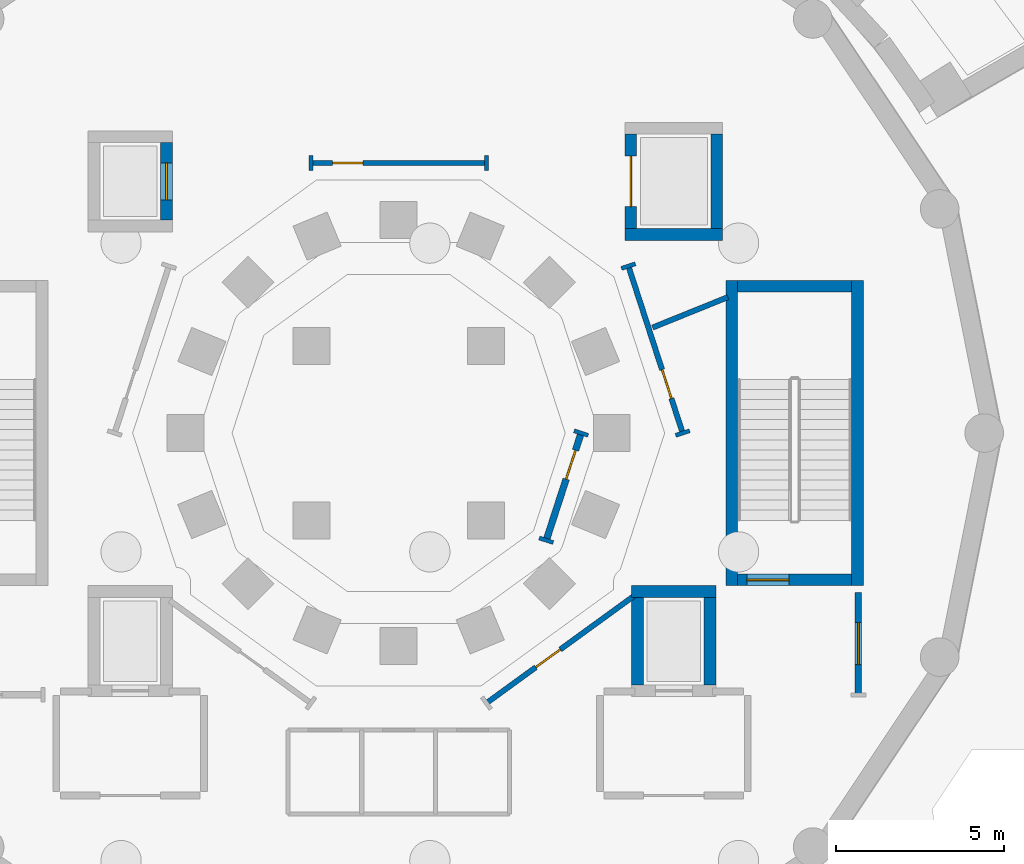
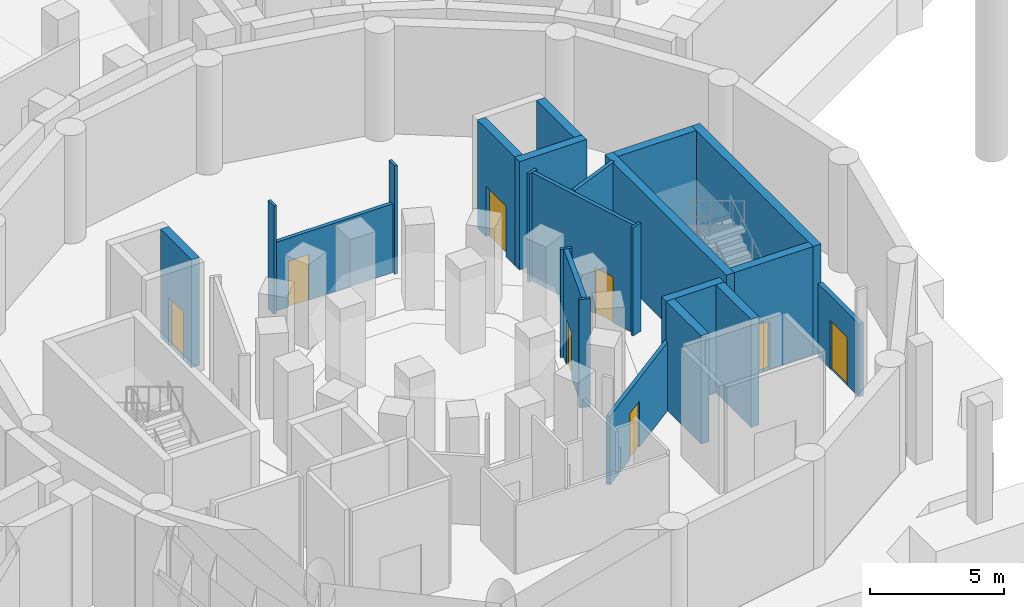
# One storey, part 10 of 33: 23 walls, 8 doors, 8 openings.
"""IFC4 building model written with IfcOpenShell, lengths in metres."""

import ifcopenshell
import ifcopenshell.guid

model = None  # the IFC model being written
_history = None  # IfcOwnerHistory: only IFC2X3 demands one
_inside = {}  # id of a spatial element -> (the spatial element, [elements in it])
_under = {}  # id of a project, library or spatial element -> (it, [spatial elements below it])
_declared = {}  # id of a project -> (the project, [libraries it declares])
_typed = {}  # id of a type object -> (the type object, [elements of that type])
_made_of = {}  # id of a material, layer set ... -> (it, [elements and type objects made of it])


def new_model(schema):
    """Start an empty IFC model of exactly this schema.

    Asked for "IFC4X3", IfcOpenShell would pick the latest addendum, in which some entities
    have other attributes; the version numbers below select the first issue.
    IFC2X3 requires an IfcOwnerHistory on every rooted entity: one is made here for all.
    """
    global model, _history
    if schema == "IFC4X3":
        model = ifcopenshell.file(schema_version=(4, 3, 0, 0))
    else:
        model = ifcopenshell.file(schema=schema)
    _inside.clear()
    _under.clear()
    _declared.clear()
    _typed.clear()
    _made_of.clear()
    _history = None
    if model.schema == "IFC2X3":
        org = make("IfcOrganization", Name="unknown")
        user = make(
            "IfcPersonAndOrganization",
            ThePerson=make("IfcPerson", FamilyName="unknown"),
            TheOrganization=org,
        )
        app = make(
            "IfcApplication",
            ApplicationDeveloper=org,
            Version="unknown",
            ApplicationFullName="unknown",
            ApplicationIdentifier="unknown",
        )
        _history = make(
            "IfcOwnerHistory",
            OwningUser=user,
            OwningApplication=app,
            ChangeAction="ADDED",
            CreationDate=0,
        )
    return model


def make(cls, **values):
    """One entity of the class cls with the attributes given. An attribute that is None is left unset."""
    return model.create_entity(
        cls, **{name: value for name, value in values.items() if value is not None}
    )


def rooted(cls, **values):
    """An entity with a GlobalId (a new one), such as an element, a storey or a relation."""
    return make(cls, GlobalId=ifcopenshell.guid.new(), OwnerHistory=_history, **values)


def si_unit(unit_type, name, prefix=None):
    """IfcSIUnit, for example si_unit("LENGTHUNIT", "METRE", prefix="MILLI")."""
    return make("IfcSIUnit", UnitType=unit_type, Prefix=prefix, Name=name)


def assignment(units):
    """IfcUnitAssignment: the units of a project."""
    return None if units is None else make("IfcUnitAssignment", Units=units)


def point(xyz):
    """IfcCartesianPoint."""
    return None if xyz is None else make("IfcCartesianPoint", Coordinates=xyz)


def direction(xyz):
    """IfcDirection."""
    return None if xyz is None else make("IfcDirection", DirectionRatios=xyz)


def frame(location, z_axis=None, x_axis=None):
    """IfcAxis2Placement3D, a coordinate frame: its origin and axes. An axis left out is left unset."""
    return make(
        "IfcAxis2Placement3D",
        Location=point(location),
        Axis=direction(z_axis),
        RefDirection=direction(x_axis),
    )


def frame_2d(location, x_axis=None):
    """IfcAxis2Placement2D, a coordinate frame in the plane: its origin and x axis."""
    return make(
        "IfcAxis2Placement2D", Location=point(location), RefDirection=direction(x_axis)
    )


def origin():
    """The frame at (0, 0, 0) with its axes left unset."""
    return frame((0.0, 0.0, 0.0))


def place(relative_to, where):
    """IfcLocalPlacement: puts the frame where relative to a parent placement (None: the world)."""
    return make(
        "IfcLocalPlacement", PlacementRelTo=relative_to, RelativePlacement=where
    )


def context(
    kind, dimensions, precision=None, world=None, true_north=None, identifier=None
):
    """IfcGeometricRepresentationContext, for example the 3D "Model" context."""
    return make(
        "IfcGeometricRepresentationContext",
        ContextIdentifier=identifier,
        ContextType=kind,
        CoordinateSpaceDimension=dimensions,
        Precision=precision,
        WorldCoordinateSystem=world,
        TrueNorth=true_north,
    )


def subcontext(parent, identifier, kind, view, scale=None):
    """IfcGeometricRepresentationSubContext, for example "Body" below "Model"."""
    return make(
        "IfcGeometricRepresentationSubContext",
        ContextIdentifier=identifier,
        ContextType=kind,
        ParentContext=parent,
        TargetScale=scale,
        TargetView=view,
    )


def project(units=None, contexts=None):
    """IfcProject with its units and contexts."""
    return rooted(
        "IfcProject",
        Name="project",
        RepresentationContexts=contexts,
        UnitsInContext=assignment(units),
    )


def spatial(cls, under=None, at=None, **own):
    """A site, building, storey or space (cls), placed at a placement, below another one or the project."""
    s = rooted(cls, ObjectPlacement=at, **own)
    if under is not None:
        _under.setdefault(under.id(), (under, []))[1].append(s)
    return s


def profile(cls, at=None, kind="AREA", **sizes):
    """A parametric profile (cls). Its sizes go by their IFC names, for example OverallWidth=200.0."""
    return make(cls, ProfileType=kind, Position=at, **sizes)


def rectangle(**sizes):
    """IfcRectangleProfileDef."""
    return profile("IfcRectangleProfileDef", **sizes)


def extrude(swept, where, along, depth):
    """IfcExtrudedAreaSolid: the profile swept, set in the frame where, extruded along a direction by depth."""
    return make(
        "IfcExtrudedAreaSolid",
        SweptArea=swept,
        Position=where,
        ExtrudedDirection=direction(along),
        Depth=depth,
    )


def shape(context_of_items, identifier, shape_type, items):
    """IfcShapeRepresentation: the items that make up one representation, for example the "Body"."""
    return make(
        "IfcShapeRepresentation",
        ContextOfItems=context_of_items,
        RepresentationIdentifier=identifier,
        RepresentationType=shape_type,
        Items=items,
    )


def material(Name=None, Category=None):
    """IfcMaterial."""
    return make("IfcMaterial", Name=Name, Category=Category)


def layer(
    of_material, thickness, ventilated=None, Name=None, Category=None, Priority=None
):
    """IfcMaterialLayer: one layer of a wall or slab, of a material (None: an air gap)."""
    return make(
        "IfcMaterialLayer",
        Material=of_material,
        LayerThickness=thickness,
        IsVentilated=ventilated,
        Name=Name,
        Category=Category,
        Priority=Priority,
    )


def layer_set(layers, Name=None):
    """IfcMaterialLayerSet."""
    return make("IfcMaterialLayerSet", MaterialLayers=layers, LayerSetName=Name)


def made_of(thing, what):
    """Note that an element or type object is made of a material, layer set ...; save() writes the relation."""
    if what is not None:
        _made_of.setdefault(what.id(), (what, []))[1].append(thing)
    return thing


def type_object(cls, material=None, **own):
    """A type object (cls), such as IfcWallType, which elements share."""
    return made_of(rooted(cls, **own), material)


def element(
    cls,
    number,
    at=None,
    inside=None,
    cuts=None,
    type_object=None,
    material=None,
    context=None,
    identifier="Body",
    shape_type=None,
    held_by="IfcProductDefinitionShape",
    body=None,
    shapes=None,
    **own,
):
    """One element of the class cls, such as IfcWall. Its Tag is "e" and its number.

    at: its placement. inside: the storey or other place that contains it. cuts: it is an
    opening in that element (IfcRelVoidsElement). A single representation is given by context,
    identifier, shape_type and body (its items); several are given by shapes. held_by: the class
    of the entity that holds the representations. save() writes the other relations.
    """
    e = rooted(cls, Tag="e%d" % number, ObjectPlacement=at, **own)
    if body is not None:
        shapes = [shape(context, identifier, shape_type, body)]
    if shapes is not None:
        e.Representation = make(held_by, Representations=shapes)
    if inside is not None:
        _inside.setdefault(inside.id(), (inside, []))[1].append(e)
    if cuts is not None:
        rooted(
            "IfcRelVoidsElement", RelatingBuildingElement=cuts, RelatedOpeningElement=e
        )
    if type_object is not None:
        _typed.setdefault(type_object.id(), (type_object, []))[1].append(e)
    return made_of(e, material)


def fill(opening, filler):
    """IfcRelFillsElement: the door or window that sits in an opening."""
    return rooted(
        "IfcRelFillsElement",
        RelatingOpeningElement=opening,
        RelatedBuildingElement=filler,
    )


def aggregate(whole, parts):
    """IfcRelAggregates: a whole, such as a stair, and the parts it consists of."""
    return rooted("IfcRelAggregates", RelatingObject=whole, RelatedObjects=parts)


def save(model, path):
    """Write the relations noted so far, then the file.

    IfcRelAggregates (storeys below a building ...), IfcRelContainedInSpatialStructure (elements
    in a storey), IfcRelDefinesByType, IfcRelAssociatesMaterial and IfcRelDeclares: one each for
    every whole, place, type object, material and project.
    """
    for whole, parts in _under.values():
        aggregate(whole, parts)
    for where, things in _inside.values():
        rooted(
            "IfcRelContainedInSpatialStructure",
            RelatedElements=things,
            RelatingStructure=where,
        )
    for kind, things in _typed.values():
        rooted("IfcRelDefinesByType", RelatedObjects=things, RelatingType=kind)
    for what, things in _made_of.values():
        rooted("IfcRelAssociatesMaterial", RelatedObjects=things, RelatingMaterial=what)
    for by, libraries in _declared.values():
        rooted("IfcRelDeclares", RelatingContext=by, RelatedDefinitions=libraries)
    model.write(path)


model = new_model("IFC4")

# Units and contexts
model_context = context("Model", 3, precision=1e-05, world=origin(), true_north=direction((0.0, 1.0)))
body_context = subcontext(model_context, "Body", "Model", "MODEL_VIEW")
ifc_project = project(units=[si_unit("LENGTHUNIT", "METRE"), si_unit("AREAUNIT", "SQUARE_METRE"), si_unit("VOLUMEUNIT", "CUBIC_METRE"), si_unit("PLANEANGLEUNIT", "RADIAN"), si_unit("MASSUNIT", "GRAM", prefix="KILO")], contexts=[model_context])

# Site, building, storey
site_placement = place(None, origin())
site = spatial("IfcSite", under=ifc_project, at=site_placement, CompositionType="ELEMENT")
building_placement = place(site_placement, origin())
building = spatial("IfcBuilding", under=site, at=building_placement, Name="Soyqirgoq Riverine Aquarium", CompositionType="ELEMENT")
storey_placement = place(building_placement, frame((0.0, 0.0, -5.39990234375)))
storey = spatial("IfcBuildingStorey", under=building, at=storey_placement, Name="B01", CompositionType="ELEMENT", Elevation=-5.39990234375)

# Walls
ifc_material_1 = material(Name="Concrete C40/50", Category="concrete")
ifc_layer_1 = layer(ifc_material_1, 0.35009765625)
ifc_layer_set_1 = layer_set([ifc_layer_1], Name="Concrete C40/50")
wall_type_1 = type_object("IfcWallType", Name="CoreShearWall_350_C40", PredefinedType="SHEAR", material=ifc_layer_set_1)
wall_1_placement = place(storey_placement, frame((69.675048828125, 52.449951171875, 0.0), z_axis=(0.0, 0.0, 1.0), x_axis=(0.0, 1.0, 0.0)))
element("IfcWall", 1, at=wall_1_placement, inside=storey, type_object=wall_type_1, Name="CORE-1 B01 Stair Core Shear Wall SIDE1", PredefinedType="SHEAR", context=body_context, shape_type="SweptSolid", body=[
    extrude(rectangle(XDim=9.10009765625, YDim=0.35009765625, at=frame_2d((4.550048828125, 0.0))), origin(), (0.0, 0.0, 1.0), 4.949951171875),
])
wall_2_placement = place(storey_placement, frame((69.5, 61.375, 0.0), z_axis=(0.0, 0.0, 1.0), x_axis=(-1.0, 0.0, 0.0)))
element("IfcWall", 2, at=wall_2_placement, inside=storey, type_object=wall_type_1, Name="CORE-1 B01 Stair Core Shear Wall BACK", PredefinedType="SHEAR", context=body_context, shape_type="SweptSolid", body=[
    extrude(rectangle(XDim=3.39990234375, YDim=0.35009765625, at=frame_2d((1.699951171875, 0.0))), origin(), (0.0, 0.0, 1.0), 4.949951171875),
])
wall_3_placement = place(storey_placement, frame((65.925048828125, 61.550048828125, 0.0), z_axis=(0.0, 0.0, 1.0), x_axis=(0.0, -1.0, 0.0)))
element("IfcWall", 3, at=wall_3_placement, inside=storey, type_object=wall_type_1, Name="CORE-1 B01 Stair Core Shear Wall SIDE2", PredefinedType="SHEAR", context=body_context, shape_type="SweptSolid", body=[
    extrude(rectangle(XDim=9.10009765625, YDim=0.35009765625, at=frame_2d((4.550048828125, 0.0))), origin(), (0.0, 0.0, 1.0), 4.949951171875),
])

# Wall, opening, door
wall_4_placement = place(storey_placement, frame((66.10009765625, 52.625, 0.0), z_axis=(0.0, 0.0, 1.0), x_axis=(1.0, 0.0, 0.0)))
wall_4 = element("IfcWall", 4, at=wall_4_placement, inside=storey, type_object=wall_type_1, Name="CORE-1 B01 Stair Core Shear Wall FRONT", PredefinedType="SHEAR", context=body_context, shape_type="SweptSolid", body=[
    extrude(rectangle(XDim=3.39990234375, YDim=0.35009765625, at=frame_2d((1.699951171875, 0.0))), origin(), (0.0, 0.0, 1.0), 4.949951171875),
])
opening_1_placement = place(wall_4_placement, frame((0.280029296875, 0.0, 0.0)))
opening_1 = element("IfcOpeningElement", 5, at=opening_1_placement, cuts=wall_4, Name="Opening FD-01", PredefinedType="OPENING", context=body_context, shape_type="SweptSolid", body=[
    extrude(rectangle(XDim=1.25, YDim=2.199951171875, at=frame_2d((0.625, 1.10009765625))), frame((0.0, 0.18505859375, 0.0), z_axis=(0.0, -1.0, 0.0), x_axis=(1.0, 0.0, 0.0)), (0.0, 0.0, 1.0), 0.3701171875),
])
ifc_material_2 = material(Name="Galvanised steel fire-resisting stair door", Category="steel")
door_type_1 = type_object("IfcDoorType", Name="StairFireDoor_1250x2200_EI90", OperationType="NOTDEFINED", PredefinedType="DOOR", material=ifc_material_2)
door_1_placement = place(opening_1_placement, origin())
door_1 = element("IfcDoor", 6, at=door_1_placement, inside=storey, type_object=door_type_1, Name="DR-ST-1-B01 ST-1 B01 Fire-Rated Stairwell Door", OperationType="SINGLE_SWING_LEFT", OverallHeight=2.199951171875, OverallWidth=1.25, PredefinedType="DOOR", context=body_context, shape_type="SweptSolid", body=[
    extrude(rectangle(XDim=1.25, YDim=2.199951171875, at=frame_2d((0.625, 1.10009765625))), frame((0.0, 0.02490234375, 0.0), z_axis=(0.0, -1.0, 0.0), x_axis=(1.0, 0.0, 0.0)), (0.0, 0.0, 1.0), 0.050048828125),
])
fill(opening_1, door_1)

# Walls
wall_5_placement = place(storey_placement, frame((65.280029296875, 49.4951171875, 0.0), z_axis=(0.0, 0.0, 1.0), x_axis=(0.0, 1.0, 0.0)))
element("IfcWall", 7, at=wall_5_placement, inside=storey, type_object=wall_type_1, Name="Lift FFL-1 Shaft Wall B01 2", PredefinedType="SHEAR", context=body_context, shape_type="SweptSolid", body=[
    extrude(rectangle(XDim=2.60986328125, YDim=0.35009765625, at=frame_2d((1.304931640625, 0.0))), origin(), (0.0, 0.0, 1.0), 4.949951171875),
])
wall_6_placement = place(storey_placement, frame((65.455078125, 52.280029296875, 0.0), z_axis=(0.0, 0.0, 1.0), x_axis=(-1.0, 0.0, 0.0)))
element("IfcWall", 8, at=wall_6_placement, inside=storey, type_object=wall_type_1, Name="Lift FFL-1 Shaft Wall B01 3", PredefinedType="SHEAR", context=body_context, shape_type="SweptSolid", body=[
    extrude(rectangle(XDim=2.510009765625, YDim=0.35009765625, at=frame_2d((1.2548828125, 0.0))), origin(), (0.0, 0.0, 1.0), 4.949951171875),
])
wall_7_placement = place(storey_placement, frame((63.1201171875, 52.10498046875, 0.0), z_axis=(0.0, 0.0, 1.0), x_axis=(0.0, -1.0, 0.0)))
element("IfcWall", 9, at=wall_7_placement, inside=storey, type_object=wall_type_1, Name="Lift FFL-1 Shaft Wall B01 4", PredefinedType="SHEAR", context=body_context, shape_type="SweptSolid", body=[
    extrude(rectangle(XDim=2.60986328125, YDim=0.35009765625, at=frame_2d((1.304931640625, 0.0))), origin(), (0.0, 0.0, 1.0), 4.949951171875),
])
wall_8_placement = place(storey_placement, frame((62.7451171875, 62.919921875, 0.0), z_axis=(0.0, 0.0, 1.0), x_axis=(1.0, 0.0, 0.0)))
element("IfcWall", 10, at=wall_8_placement, inside=storey, type_object=wall_type_1, Name="Lift GL-1 Shaft Wall B01 1", PredefinedType="SHEAR", context=body_context, shape_type="SweptSolid", body=[
    extrude(rectangle(XDim=2.909912109375, YDim=0.35009765625, at=frame_2d((1.455078125, 0.0))), origin(), (0.0, 0.0, 1.0), 4.949951171875),
])
wall_9_placement = place(storey_placement, frame((65.47998046875, 63.094970703125, 0.0), z_axis=(0.0, 0.0, 1.0), x_axis=(0.0, 1.0, 0.0)))
element("IfcWall", 11, at=wall_9_placement, inside=storey, type_object=wall_type_1, Name="Lift GL-1 Shaft Wall B01 2", PredefinedType="SHEAR", context=body_context, shape_type="SweptSolid", body=[
    extrude(rectangle(XDim=2.81005859375, YDim=0.35009765625, at=frame_2d((1.405029296875, 0.0))), origin(), (0.0, 0.0, 1.0), 4.949951171875),
])

# Wall, opening, door
wall_10_placement = place(storey_placement, frame((62.919921875, 65.905029296875, 0.0), z_axis=(0.0, 0.0, 1.0), x_axis=(0.0, -1.0, 0.0)))
wall_10 = element("IfcWall", 12, at=wall_10_placement, inside=storey, type_object=wall_type_1, Name="Lift GL-1 Shaft Wall B01 4", PredefinedType="SHEAR", context=body_context, shape_type="SweptSolid", body=[
    extrude(rectangle(XDim=2.81005859375, YDim=0.35009765625, at=frame_2d((1.405029296875, 0.0))), origin(), (0.0, 0.0, 1.0), 4.949951171875),
])
opening_2_placement = place(wall_10_placement, frame((0.655029296875, 0.0, 0.0)))
opening_2 = element("IfcOpeningElement", 13, at=opening_2_placement, cuts=wall_10, Name="Opening LD-02", PredefinedType="OPENING", context=body_context, shape_type="SweptSolid", body=[
    extrude(rectangle(XDim=1.5, YDim=2.300048828125, at=frame_2d((0.75, 1.14990234375))), frame((0.0, 0.18505859375, 0.0), z_axis=(0.0, -1.0, 0.0), x_axis=(1.0, 0.0, 0.0)), (0.0, 0.0, 1.0), 0.3701171875),
])
ifc_material_3 = material(Name="Heavy-duty stainless steel bi-parting lift landing door", Category="steel")
door_type_2 = type_object("IfcDoorType", Name="GoodsLiftLandingDoor_1500x2300", OperationType="SLIDING_TO_LEFT", PredefinedType="DOOR", material=ifc_material_3)
door_2_placement = place(opening_2_placement, origin())
door_2 = element("IfcDoor", 14, at=door_2_placement, inside=storey, type_object=door_type_2, Name="LD-GL-1-B01 Lift GL-1 B01 Sliding Landing Door", OperationType="SLIDING_TO_LEFT", OverallHeight=2.300048828125, OverallWidth=1.5, PredefinedType="DOOR", context=body_context, shape_type="SweptSolid", body=[
    extrude(rectangle(XDim=1.5, YDim=2.300048828125, at=frame_2d((0.75, 1.14990234375))), frame((0.0, 0.02490234375, 0.0), z_axis=(0.0, -1.0, 0.0), x_axis=(1.0, 0.0, 0.0)), (0.0, 0.0, 1.0), 0.050048828125),
])
fill(opening_2, door_2)

wall_11_placement = place(storey_placement, frame((49.080078125, 63.344970703125, 0.0), z_axis=(0.0, 0.0, 1.0), x_axis=(0.0, 1.0, 0.0)))
wall_11 = element("IfcWall", 15, at=wall_11_placement, inside=storey, type_object=wall_type_1, Name="Lift PL-1 Shaft Wall B01 2", PredefinedType="SHEAR", context=body_context, shape_type="SweptSolid", body=[
    extrude(rectangle(XDim=2.31005859375, YDim=0.35009765625, at=frame_2d((1.155029296875, 0.0))), origin(), (0.0, 0.0, 1.0), 4.949951171875),
])
opening_3_placement = place(wall_11_placement, frame((0.60498046875, 0.0, 0.0)))
opening_3 = element("IfcOpeningElement", 16, at=opening_3_placement, cuts=wall_11, Name="Opening LD-01", PredefinedType="OPENING", context=body_context, shape_type="SweptSolid", body=[
    extrude(rectangle(XDim=1.10009765625, YDim=2.199951171875, at=frame_2d((0.550048828125, 1.10009765625))), frame((0.0, 0.18505859375, 0.0), z_axis=(0.0, -1.0, 0.0), x_axis=(1.0, 0.0, 0.0)), (0.0, 0.0, 1.0), 0.3701171875),
])
ifc_material_4 = material(Name="Brushed stainless steel telescopic lift landing door", Category="steel")
door_type_3 = type_object("IfcDoorType", Name="LiftLandingDoor_1100x2200", OperationType="SLIDING_TO_LEFT", PredefinedType="DOOR", material=ifc_material_4)
door_3_placement = place(opening_3_placement, origin())
door_3 = element("IfcDoor", 17, at=door_3_placement, inside=storey, type_object=door_type_3, Name="LD-PL-1-B01 Lift PL-1 B01 Sliding Landing Door", OperationType="SLIDING_TO_LEFT", OverallHeight=2.199951171875, OverallWidth=1.10009765625, PredefinedType="DOOR", context=body_context, shape_type="SweptSolid", body=[
    extrude(rectangle(XDim=1.10009765625, YDim=2.199951171875, at=frame_2d((0.550048828125, 1.10009765625))), frame((0.0, 0.02490234375, 0.0), z_axis=(0.0, -1.0, 0.0), x_axis=(1.0, 0.0, 0.0)), (0.0, 0.0, 1.0), 0.050048828125),
])
fill(opening_3, door_3)

# Walls
ifc_material_5 = material(Name="Lightweight steel-stud gypsum partition", Category="steel")
ifc_layer_2 = layer(ifc_material_5, 0.1201171875)
ifc_layer_set_2 = layer_set([ifc_layer_2], Name="Lightweight steel-stud gypsum partition")
wall_type_2 = type_object("IfcWallType", Name="PartitionWall_120_Std", PredefinedType="PARTITIONING", material=ifc_layer_set_2)
wall_12_placement = place(storey_placement, frame((62.637451171875, 61.906494140625, 0.0), z_axis=(0.0, 0.0, 1.0), x_axis=(0.951042223598, 0.309060979314, 0.0)))
element("IfcWall", 18, at=wall_12_placement, inside=storey, type_object=wall_type_2, Name="V1 B01 Jamb Return Pier", PredefinedType="PARTITIONING", context=body_context, shape_type="SweptSolid", body=[
    extrude(rectangle(XDim=0.43994140625, YDim=0.1201171875, at=frame_2d((0.219970703125, 0.0))), origin(), (0.0, 0.0, 1.0), 4.949951171875),
])
wall_13_placement = place(storey_placement, frame((64.25390625, 56.931884765625, 0.0), z_axis=(0.0, 0.0, 1.0), x_axis=(0.950879027099, 0.309562717107, 0.0)))
element("IfcWall", 19, at=wall_13_placement, inside=storey, type_object=wall_type_2, Name="V1 B01 Jamb Return Pier", PredefinedType="PARTITIONING", context=body_context, shape_type="SweptSolid", body=[
    extrude(rectangle(XDim=0.440185546875, YDim=0.1201171875, at=frame_2d((0.22021484375, 0.0))), origin(), (0.0, 0.0, 1.0), 4.949951171875),
])
for number, where, z_axis, x_axis, name in (
    (20, (53.384765625, 64.828857421875, 0.0), (0.0, 0.0, 1.0), (0.0, 1.0, 0.0), "V1 B01 Jamb Return Pier"),
    (21, (58.615234375, 64.828857421875, 0.0), (0.0, 0.0, 1.0), (0.0, 1.0, 0.0), "V1 B01 Jamb Return Pier"),
    (22, (60.60791015625, 53.736328125, 0.0), (0.0, 0.0, 1.0), (-0.951042223598, 0.309060979314, 0.0), "V1 B01 Jamb Return Pier"),
    (23, (61.64599609375, 56.931884765625, 0.0), (0.0, 0.0, 1.0), (-0.950825821725, 0.309726099546, 0.0), "V1 B01 Jamb Return Pier"),
):
    element("IfcWall", number, at=place(storey_placement, frame(where, z_axis=z_axis, x_axis=x_axis)), inside=storey, type_object=wall_type_2, Name=name, PredefinedType="PARTITIONING", context=body_context, shape_type="SweptSolid", body=[
        extrude(rectangle(XDim=0.43994140625, YDim=0.1201171875, at=frame_2d((0.219970703125, 0.0))), origin(), (0.0, 0.0, 1.0), 4.949951171875),
    ])

# Wall, opening, door
ifc_material_6 = material(Name="Fire-rated acoustic gypsum stud partition", Category="gypsum")
ifc_layer_3 = layer(ifc_material_6, 0.159912109375)
ifc_layer_set_3 = layer_set([ifc_layer_3], Name="Fire-rated acoustic gypsum stud partition")
wall_type_3 = type_object("IfcWallType", Name="PartitionWall_160_EI60", PredefinedType="PARTITIONING", material=ifc_layer_set_3)
wall_14_placement = place(storey_placement, frame((62.8466796875, 61.974609375, 0.0), z_axis=(0.0, 0.0, 1.0), x_axis=(0.309035412731, -0.951050531611, 0.0)))
wall_14 = element("IfcWall", 24, at=wall_14_placement, inside=storey, type_object=wall_type_3, Name="Water Chemistry Testing Laboratory Partition Wall", PredefinedType="PARTITIONING", context=body_context, shape_type="SweptSolid", body=[
    extrude(rectangle(XDim=5.230712890625, YDim=0.159912109375, at=frame_2d((2.615234375, 0.0))), origin(), (0.0, 0.0, 1.0), 4.949951171875),
])
opening_4_placement = place(wall_14_placement, frame((3.247802734375, 0.0, 0.0)))
opening_4 = element("IfcOpeningElement", 25, at=opening_4_placement, cuts=wall_14, Name="Opening RD-01", PredefinedType="OPENING", context=body_context, shape_type="SweptSolid", body=[
    extrude(rectangle(XDim=0.89990234375, YDim=2.10009765625, at=frame_2d((0.449951171875, 1.050048828125))), frame((0.0, 0.08984375, 0.0), z_axis=(0.0, -1.0, 0.0), x_axis=(1.0, 0.0, 0.0)), (0.0, 0.0, 1.0), 0.179931640625),
])
ifc_material_7 = material(Name="Flush steel service riser fire door", Category="steel")
door_type_4 = type_object("IfcDoorType", Name="RiserAccessDoor_900x2100_EI60", OperationType="NOTDEFINED", PredefinedType="DOOR", material=ifc_material_7)
door_4_placement = place(opening_4_placement, origin())
door_4 = element("IfcDoor", 26, at=door_4_placement, inside=storey, type_object=door_type_4, Name="IDR-V1-B01-0007 Ocean Drum Circulation Corridor Door", OperationType="SINGLE_SWING_RIGHT", OverallHeight=2.10009765625, OverallWidth=0.89990234375, PredefinedType="DOOR", context=body_context, shape_type="SweptSolid", body=[
    extrude(rectangle(XDim=0.89990234375, YDim=2.10009765625, at=frame_2d((0.449951171875, 1.050048828125))), frame((0.0, 0.02490234375, 0.0), z_axis=(0.0, -1.0, 0.0), x_axis=(1.0, 0.0, 0.0)), (0.0, 0.0, 1.0), 0.050048828125),
])
fill(opening_4, door_4)

wall_15_placement = place(storey_placement, frame((63.099853515625, 52.20947265625, 0.0), z_axis=(0.0, 0.0, 1.0), x_axis=(-0.809014055944, -0.587789296675, 0.0)))
wall_15 = element("IfcWall", 27, at=wall_15_placement, inside=storey, type_object=wall_type_3, Name="Water Chemistry Testing Laboratory Partition Wall", PredefinedType="PARTITIONING", context=body_context, shape_type="SweptSolid", body=[
    extrude(rectangle(XDim=5.543212890625, YDim=0.159912109375, at=frame_2d((2.771484375, 0.0))), origin(), (0.0, 0.0, 1.0), 3.139892578125),
])
opening_5_placement = place(wall_15_placement, frame((2.82470703125, 0.0, 0.0)))
opening_5 = element("IfcOpeningElement", 28, at=opening_5_placement, cuts=wall_15, Name="Opening RD-01", PredefinedType="OPENING", context=body_context, shape_type="SweptSolid", body=[
    extrude(rectangle(XDim=0.89990234375, YDim=2.10009765625, at=frame_2d((0.449951171875, 1.050048828125))), frame((0.0, 0.08984375, 0.0), z_axis=(0.0, -1.0, 0.0), x_axis=(1.0, 0.0, 0.0)), (0.0, 0.0, 1.0), 0.179931640625),
])
door_5_placement = place(opening_5_placement, origin())
door_5 = element("IfcDoor", 29, at=door_5_placement, inside=storey, type_object=door_type_4, Name="IDR-V1-B01-0008 Ocean Drum Circulation Corridor Door", OperationType="SINGLE_SWING_LEFT", OverallHeight=2.10009765625, OverallWidth=0.89990234375, PredefinedType="DOOR", context=body_context, shape_type="SweptSolid", body=[
    extrude(rectangle(XDim=0.89990234375, YDim=2.10009765625, at=frame_2d((0.449951171875, 1.050048828125))), frame((0.0, 0.02490234375, 0.0), z_axis=(0.0, -1.0, 0.0), x_axis=(1.0, 0.0, 0.0)), (0.0, 0.0, 1.0), 0.050048828125),
])
fill(opening_5, door_5)

wall_16_placement = place(storey_placement, frame((53.384765625, 65.048828125, 0.0), z_axis=(0.0, 0.0, 1.0), x_axis=(1.0, 0.0, 0.0)))
wall_16 = element("IfcWall", 30, at=wall_16_placement, inside=storey, type_object=wall_type_3, Name="Water Chemistry Testing Laboratory Partition Wall", PredefinedType="PARTITIONING", context=body_context, shape_type="SweptSolid", body=[
    extrude(rectangle(XDim=5.23046875, YDim=0.159912109375, at=frame_2d((2.615234375, 0.0))), origin(), (0.0, 0.0, 1.0), 3.139892578125),
])
opening_6_placement = place(wall_16_placement, frame((0.649658203125, 0.0, 0.0)))
opening_6 = element("IfcOpeningElement", 31, at=opening_6_placement, cuts=wall_16, Name="Opening RD-01", PredefinedType="OPENING", context=body_context, shape_type="SweptSolid", body=[
    extrude(rectangle(XDim=0.89990234375, YDim=2.10009765625, at=frame_2d((0.449951171875, 1.050048828125))), frame((0.0, 0.08984375, 0.0), z_axis=(0.0, -1.0, 0.0), x_axis=(1.0, 0.0, 0.0)), (0.0, 0.0, 1.0), 0.179931640625),
])
door_6_placement = place(opening_6_placement, origin())
door_6 = element("IfcDoor", 32, at=door_6_placement, inside=storey, type_object=door_type_4, Name="IDR-V1-B01-0009 Ocean Drum Circulation Corridor Door", OperationType="SINGLE_SWING_RIGHT", OverallHeight=2.10009765625, OverallWidth=0.89990234375, PredefinedType="DOOR", context=body_context, shape_type="SweptSolid", body=[
    extrude(rectangle(XDim=0.89990234375, YDim=2.10009765625, at=frame_2d((0.449951171875, 1.050048828125))), frame((0.0, 0.02490234375, 0.0), z_axis=(0.0, -1.0, 0.0), x_axis=(1.0, 0.0, 0.0)), (0.0, 0.0, 1.0), 0.050048828125),
])
fill(opening_6, door_6)

# Wall
wall_17_placement = place(storey_placement, frame((63.5673828125, 60.143798828125, 0.0), z_axis=(0.0, 0.0, 1.0), x_axis=(0.927164439183, 0.374654644591, 0.0)))
element("IfcWall", 33, at=wall_17_placement, inside=storey, type_object=wall_type_3, Name="Water Chemistry Testing Laboratory Partition Wall", PredefinedType="PARTITIONING", context=body_context, shape_type="SweptSolid", body=[
    extrude(rectangle(XDim=2.4228515625, YDim=0.159912109375, at=frame_2d((1.21142578125, 0.0))), origin(), (0.0, 0.0, 1.0), 4.949951171875),
])

# Wall, opening, door
ifc_material_8 = material(Name="Fire-rated calcium silicate twin-stud partition", Category="gypsum")
ifc_layer_4 = layer(ifc_material_8, 0.199951171875)
ifc_layer_set_4 = layer_set([ifc_layer_4], Name="Fire-rated calcium silicate twin-stud partition")
wall_type_4 = type_object("IfcWallType", Name="PartitionWall_200_EI90", PredefinedType="PARTITIONING", material=ifc_layer_set_4)
wall_18_placement = place(storey_placement, frame((69.699951171875, 49.199951171875, 0.0), z_axis=(0.0, 0.0, 1.0), x_axis=(0.0, 1.0, 0.0)))
wall_18 = element("IfcWall", 34, at=wall_18_placement, inside=storey, type_object=wall_type_4, Name="Stair Vestibule ST-1 Fire Enclosure Wall", PredefinedType="PARTITIONING", context=body_context, shape_type="SweptSolid", body=[
    extrude(rectangle(XDim=3.050048828125, YDim=0.199951171875, at=frame_2d((1.52490234375, 0.0))), origin(), (0.0, 0.0, 1.0), 3.33984375),
])
opening_7_placement = place(wall_18_placement, frame((0.89990234375, 0.0, 0.0)))
opening_7 = element("IfcOpeningElement", 35, at=opening_7_placement, cuts=wall_18, Name="Opening FD-01", PredefinedType="OPENING", context=body_context, shape_type="SweptSolid", body=[
    extrude(rectangle(XDim=1.25, YDim=2.199951171875, at=frame_2d((0.625, 1.10009765625))), frame((0.0, 0.10986328125, 0.0), z_axis=(0.0, -1.0, 0.0), x_axis=(1.0, 0.0, 0.0)), (0.0, 0.0, 1.0), 0.219970703125),
])
door_7_placement = place(opening_7_placement, origin())
door_7 = element("IfcDoor", 36, at=door_7_placement, inside=storey, type_object=door_type_1, Name="IDR-V1-B01-0004 Stair Vestibule ST-1 Egress Fire Door", OperationType="SINGLE_SWING_LEFT", OverallHeight=2.199951171875, OverallWidth=1.25, PredefinedType="DOOR", context=body_context, shape_type="SweptSolid", body=[
    extrude(rectangle(XDim=1.25, YDim=2.199951171875, at=frame_2d((0.625, 1.10009765625))), frame((0.0, 0.02490234375, 0.0), z_axis=(0.0, -1.0, 0.0), x_axis=(1.0, 0.0, 0.0)), (0.0, 0.0, 1.0), 0.050048828125),
])
fill(opening_7, door_7)

wall_19_placement = place(storey_placement, frame((60.398681640625, 53.80419921875, 0.0), z_axis=(0.0, 0.0, 1.0), x_axis=(0.309003928143, 0.951060761672, 0.0)))
wall_19 = element("IfcWall", 37, at=wall_19_placement, inside=storey, type_object=wall_type_4, Name="Ocean Tank Sand Filtration Plant Partition Wall", PredefinedType="PARTITIONING", context=body_context, shape_type="SweptSolid", body=[
    extrude(rectangle(XDim=3.3603515625, YDim=0.199951171875, at=frame_2d((1.68017578125, 0.0))), origin(), (0.0, 0.0, 1.0), 4.949951171875),
])
opening_8_placement = place(wall_19_placement, frame((1.9189453125, 0.0, 0.0)))
opening_8 = element("IfcOpeningElement", 38, at=opening_8_placement, cuts=wall_19, Name="Opening RD-01", PredefinedType="OPENING", context=body_context, shape_type="SweptSolid", body=[
    extrude(rectangle(XDim=0.89990234375, YDim=2.10009765625, at=frame_2d((0.449951171875, 1.050048828125))), frame((0.0, 0.10986328125, 0.0), z_axis=(0.0, -1.0, 0.0), x_axis=(1.0, 0.0, 0.0)), (0.0, 0.0, 1.0), 0.219970703125),
])
door_8_placement = place(opening_8_placement, origin())
door_8 = element("IfcDoor", 39, at=door_8_placement, inside=storey, type_object=door_type_4, Name="IDR-V1-B01-0011 Ocean Tank Sand Filtration Plant Access Door", OperationType="SINGLE_SWING_LEFT", OverallHeight=2.10009765625, OverallWidth=0.89990234375, PredefinedType="DOOR", context=body_context, shape_type="SweptSolid", body=[
    extrude(rectangle(XDim=0.89990234375, YDim=2.10009765625, at=frame_2d((0.449951171875, 1.050048828125))), frame((0.0, 0.02490234375, 0.0), z_axis=(0.0, -1.0, 0.0), x_axis=(1.0, 0.0, 0.0)), (0.0, 0.0, 1.0), 0.050048828125),
])
fill(opening_8, door_8)

save(model, "model.ifc")
